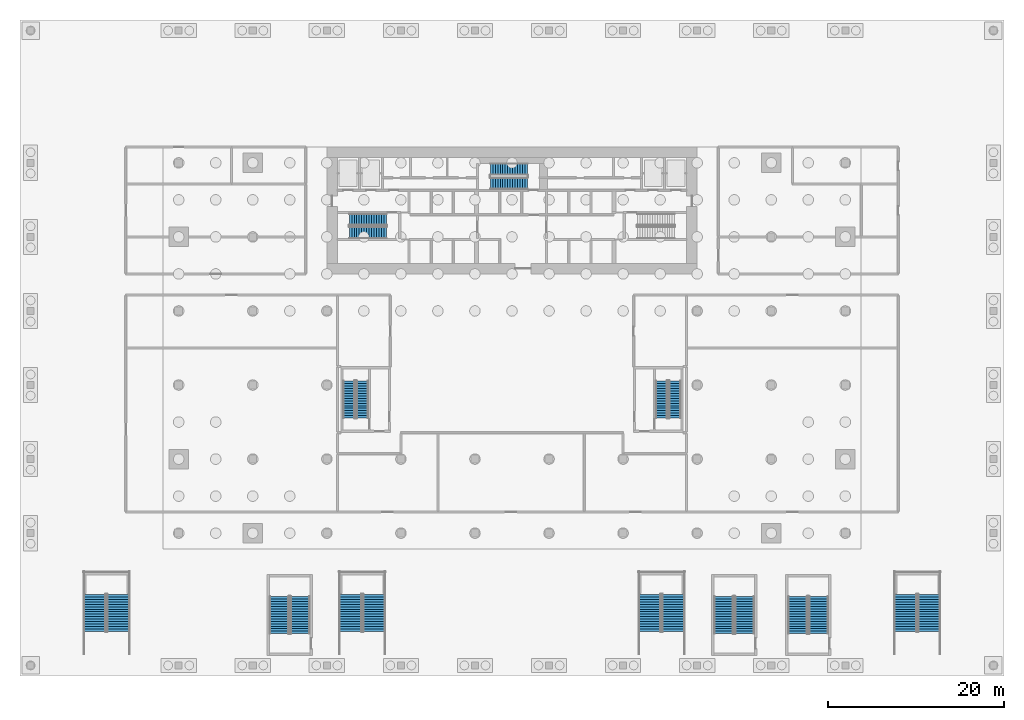
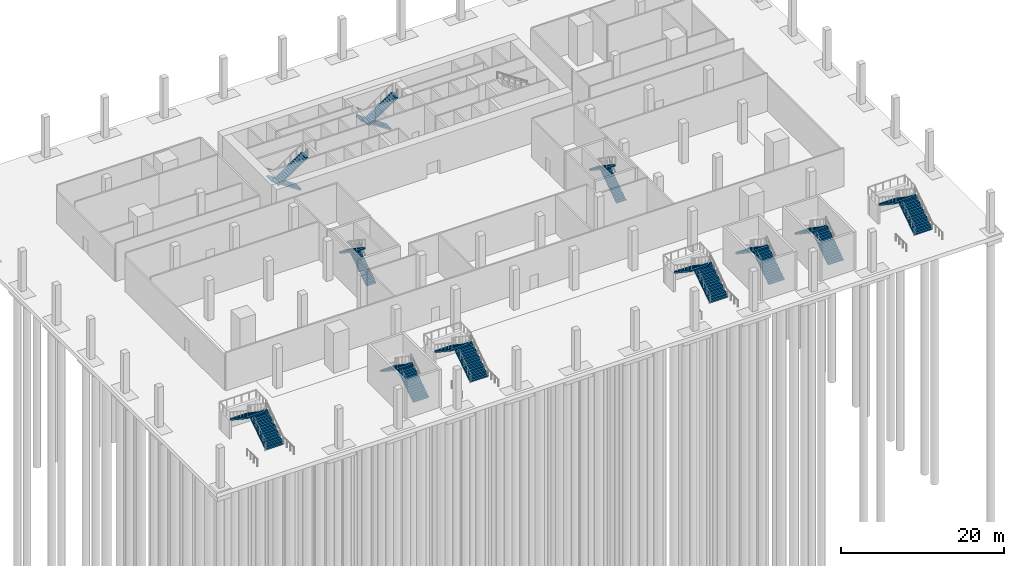
# One storey, part 11 of 16: 22 stair flights, 11 elements without a shape of their own.
"""IFC4 building model written with IfcOpenShell, lengths in metres."""

from ifc_helpers import new_model, si_unit, direction, frame, origin, place, context, subcontext, project, spatial, polyline, outline, extrude, material, type_object, element, aggregate, save


model = new_model("IFC4")

# Units and contexts
model_context = context("Model", 3, precision=1e-05, world=origin(), true_north=direction((0.0, 1.0)))
body_context = subcontext(model_context, "Body", "Model", "MODEL_VIEW")
ifc_project = project(units=[si_unit("LENGTHUNIT", "METRE"), si_unit("AREAUNIT", "SQUARE_METRE"), si_unit("VOLUMEUNIT", "CUBIC_METRE"), si_unit("PLANEANGLEUNIT", "RADIAN"), si_unit("MASSUNIT", "GRAM", prefix="KILO")], contexts=[model_context])

# Site, building, storey
site_placement = place(None, origin())
site = spatial("IfcSite", under=ifc_project, at=site_placement, CompositionType="ELEMENT")
building_placement = place(site_placement, origin())
building = spatial("IfcBuilding", under=site, at=building_placement, Name="Saffron Gate Tower", CompositionType="ELEMENT")
storey_placement = place(building_placement, frame((0.0, 0.0, -6.0)))
storey = spatial("IfcBuildingStorey", under=building, at=storey_placement, Name="B1", CompositionType="ELEMENT", Elevation=-6.0)

# Stair, stair flights
ifc_material = material(Name="Concrete C40", Category="concrete")
stair_type_1 = type_object("IfcStairType", Name="ST1 Stair 2550 wide, 32 risers of 188", PredefinedType="HALF_TURN_STAIR", material=ifc_material)
stair_1_placement = place(storey_placement, origin())
stair_1 = element("IfcStair", 1, at=stair_1_placement, inside=storey, type_object=stair_type_1, Name="B1 Station stair 1", PredefinedType="HALF_TURN_STAIR")
stair_flight_type_1 = type_object("IfcStairFlightType", Name="SF1 Stair flight 2550 wide, riser 188 going 280", PredefinedType="STRAIGHT", material=ifc_material)
stair_flight_1_placement = place(storey_placement, frame((42.97509765625, 20.64990234375, 0.0), z_axis=(0.0, 0.0, 1.0), x_axis=(0.0, 1.0, 0.0)))
stair_flight_1 = element("IfcStairFlight", 2, at=stair_flight_1_placement, type_object=stair_flight_type_1, Name="SS1 flight 1", NumberOfRisers=16, NumberOfTreads=15, PredefinedType="STRAIGHT", RiserHeight=0.1875, TreadLength=0.28, context=body_context, shape_type="SweptSolid", body=[
    extrude(outline(polyline([(0.0, 0.0), (0.0, 0.1875), (0.280029296875, 0.1875), (0.280029296875, 0.375), (0.56005859375, 0.375), (0.56005859375, 0.5625), (0.840087890625, 0.5625), (0.840087890625, 0.75), (1.1201171875, 0.75), (1.1201171875, 0.9375), (1.39990234375, 0.9375), (1.39990234375, 1.125), (1.679931640625, 1.125), (1.679931640625, 1.3125), (1.9599609375, 1.3125), (1.9599609375, 1.5), (2.239990234375, 1.5), (2.239990234375, 1.6875), (2.52001953125, 1.6875), (2.52001953125, 1.875), (2.800048828125, 1.875), (2.800048828125, 2.0625), (3.080078125, 2.0625), (3.080078125, 2.25), (3.360107421875, 2.25), (3.360107421875, 2.4375), (3.639892578125, 2.4375), (3.639892578125, 2.625), (3.919921875, 2.625), (3.919921875, 2.8125), (4.199951171875, 2.8125), (4.199951171875, 3.0), (4.199951171875, 2.632080078125), (0.26953125, 0.0), (0.0, 0.0)])), frame((0.0, 1.27490234375, 0.0), z_axis=(0.0, -1.0, 0.0), x_axis=(1.0, 0.0, 0.0)), (0.0, 0.0, 1.0), 2.550048828125),
])
stair_flight_2_placement = place(storey_placement, frame((40.27490234375, 24.85009765625, 3.0), z_axis=(0.0, 0.0, 1.0), x_axis=(0.0, -1.0, 0.0)))
stair_flight_2 = element("IfcStairFlight", 3, at=stair_flight_2_placement, type_object=stair_flight_type_1, Name="SS1 flight 2", NumberOfRisers=16, NumberOfTreads=15, PredefinedType="STRAIGHT", RiserHeight=0.1875, TreadLength=0.28, context=body_context, shape_type="SweptSolid", body=[
    extrude(outline(polyline([(0.0, 0.0), (0.0, 0.1875), (0.280029296875, 0.1875), (0.280029296875, 0.375), (0.56005859375, 0.375), (0.56005859375, 0.5625), (0.840087890625, 0.5625), (0.840087890625, 0.75), (1.1201171875, 0.75), (1.1201171875, 0.9375), (1.39990234375, 0.9375), (1.39990234375, 1.125), (1.679931640625, 1.125), (1.679931640625, 1.3125), (1.9599609375, 1.3125), (1.9599609375, 1.5), (2.239990234375, 1.5), (2.239990234375, 1.6875), (2.52001953125, 1.6875), (2.52001953125, 1.875), (2.800048828125, 1.875), (2.800048828125, 2.0625), (3.080078125, 2.0625), (3.080078125, 2.25), (3.360107421875, 2.25), (3.360107421875, 2.4375), (3.639892578125, 2.4375), (3.639892578125, 2.625), (3.919921875, 2.625), (3.919921875, 2.8125), (4.199951171875, 2.8125), (4.199951171875, 3.0), (4.199951171875, 2.632080078125), (0.26953125, 0.0), (0.0, 0.0)])), frame((0.0, 1.27490234375, 0.0), z_axis=(0.0, -1.0, 0.0), x_axis=(1.0, 0.0, 0.0)), (0.0, 0.0, 1.0), 2.550048828125),
])
aggregate(stair_1, [stair_flight_1, stair_flight_2])

stair_2_placement = place(storey_placement, origin())
stair_2 = element("IfcStair", 4, at=stair_2_placement, inside=storey, type_object=stair_type_1, Name="B1 Station stair 2", PredefinedType="HALF_TURN_STAIR")
stair_flight_3_placement = place(storey_placement, frame((71.97509765625, 20.64990234375, 0.0), z_axis=(0.0, 0.0, 1.0), x_axis=(0.0, 1.0, 0.0)))
stair_flight_3 = element("IfcStairFlight", 5, at=stair_flight_3_placement, type_object=stair_flight_type_1, Name="SS2 flight 1", NumberOfRisers=16, NumberOfTreads=15, PredefinedType="STRAIGHT", RiserHeight=0.1875, TreadLength=0.28, context=body_context, shape_type="SweptSolid", body=[
    extrude(outline(polyline([(0.0, 0.0), (0.0, 0.1875), (0.280029296875, 0.1875), (0.280029296875, 0.375), (0.56005859375, 0.375), (0.56005859375, 0.5625), (0.840087890625, 0.5625), (0.840087890625, 0.75), (1.1201171875, 0.75), (1.1201171875, 0.9375), (1.39990234375, 0.9375), (1.39990234375, 1.125), (1.679931640625, 1.125), (1.679931640625, 1.3125), (1.9599609375, 1.3125), (1.9599609375, 1.5), (2.239990234375, 1.5), (2.239990234375, 1.6875), (2.52001953125, 1.6875), (2.52001953125, 1.875), (2.800048828125, 1.875), (2.800048828125, 2.0625), (3.080078125, 2.0625), (3.080078125, 2.25), (3.360107421875, 2.25), (3.360107421875, 2.4375), (3.639892578125, 2.4375), (3.639892578125, 2.625), (3.919921875, 2.625), (3.919921875, 2.8125), (4.199951171875, 2.8125), (4.199951171875, 3.0), (4.199951171875, 2.632080078125), (0.26953125, 0.0), (0.0, 0.0)])), frame((0.0, 1.27490234375, 0.0), z_axis=(0.0, -1.0, 0.0), x_axis=(1.0, 0.0, 0.0)), (0.0, 0.0, 1.0), 2.550048828125),
])
stair_flight_4_placement = place(storey_placement, frame((69.27490234375, 24.85009765625, 3.0), z_axis=(0.0, 0.0, 1.0), x_axis=(0.0, -1.0, 0.0)))
stair_flight_4 = element("IfcStairFlight", 6, at=stair_flight_4_placement, type_object=stair_flight_type_1, Name="SS2 flight 2", NumberOfRisers=16, NumberOfTreads=15, PredefinedType="STRAIGHT", RiserHeight=0.1875, TreadLength=0.28, context=body_context, shape_type="SweptSolid", body=[
    extrude(outline(polyline([(0.0, 0.0), (0.0, 0.1875), (0.280029296875, 0.1875), (0.280029296875, 0.375), (0.56005859375, 0.375), (0.56005859375, 0.5625), (0.840087890625, 0.5625), (0.840087890625, 0.75), (1.1201171875, 0.75), (1.1201171875, 0.9375), (1.39990234375, 0.9375), (1.39990234375, 1.125), (1.679931640625, 1.125), (1.679931640625, 1.3125), (1.9599609375, 1.3125), (1.9599609375, 1.5), (2.239990234375, 1.5), (2.239990234375, 1.6875), (2.52001953125, 1.6875), (2.52001953125, 1.875), (2.800048828125, 1.875), (2.800048828125, 2.0625), (3.080078125, 2.0625), (3.080078125, 2.25), (3.360107421875, 2.25), (3.360107421875, 2.4375), (3.639892578125, 2.4375), (3.639892578125, 2.625), (3.919921875, 2.625), (3.919921875, 2.8125), (4.199951171875, 2.8125), (4.199951171875, 3.0), (4.199951171875, 2.632080078125), (0.26953125, 0.0), (0.0, 0.0)])), frame((0.0, 1.27490234375, 0.0), z_axis=(0.0, -1.0, 0.0), x_axis=(1.0, 0.0, 0.0)), (0.0, 0.0, 1.0), 2.550048828125),
])
aggregate(stair_2, [stair_flight_3, stair_flight_4])

stair_3_placement = place(storey_placement, origin())
stair_3 = element("IfcStair", 7, at=stair_3_placement, inside=storey, type_object=stair_type_1, Name="B1 Station stair 3", PredefinedType="HALF_TURN_STAIR")
stair_flight_5_placement = place(storey_placement, frame((105.925048828125, 20.64990234375, 0.0), z_axis=(0.0, 0.0, 1.0), x_axis=(0.0, 1.0, 0.0)))
stair_flight_5 = element("IfcStairFlight", 8, at=stair_flight_5_placement, type_object=stair_flight_type_1, Name="SS3 flight 1", NumberOfRisers=16, NumberOfTreads=15, PredefinedType="STRAIGHT", RiserHeight=0.1875, TreadLength=0.28, context=body_context, shape_type="SweptSolid", body=[
    extrude(outline(polyline([(0.0, 0.0), (0.0, 0.1875), (0.280029296875, 0.1875), (0.280029296875, 0.375), (0.56005859375, 0.375), (0.56005859375, 0.5625), (0.840087890625, 0.5625), (0.840087890625, 0.75), (1.1201171875, 0.75), (1.1201171875, 0.9375), (1.39990234375, 0.9375), (1.39990234375, 1.125), (1.679931640625, 1.125), (1.679931640625, 1.3125), (1.9599609375, 1.3125), (1.9599609375, 1.5), (2.239990234375, 1.5), (2.239990234375, 1.6875), (2.52001953125, 1.6875), (2.52001953125, 1.875), (2.800048828125, 1.875), (2.800048828125, 2.0625), (3.080078125, 2.0625), (3.080078125, 2.25), (3.360107421875, 2.25), (3.360107421875, 2.4375), (3.639892578125, 2.4375), (3.639892578125, 2.625), (3.919921875, 2.625), (3.919921875, 2.8125), (4.199951171875, 2.8125), (4.199951171875, 3.0), (4.199951171875, 2.632080078125), (0.26953125, 0.0), (0.0, 0.0)])), frame((0.0, 1.27490234375, 0.0), z_axis=(0.0, -1.0, 0.0), x_axis=(1.0, 0.0, 0.0)), (0.0, 0.0, 1.0), 2.550048828125),
])
stair_flight_6_placement = place(storey_placement, frame((103.22509765625, 24.85009765625, 3.0), z_axis=(0.0, 0.0, 1.0), x_axis=(0.0, -1.0, 0.0)))
stair_flight_6 = element("IfcStairFlight", 9, at=stair_flight_6_placement, type_object=stair_flight_type_1, Name="SS3 flight 2", NumberOfRisers=16, NumberOfTreads=15, PredefinedType="STRAIGHT", RiserHeight=0.1875, TreadLength=0.28, context=body_context, shape_type="SweptSolid", body=[
    extrude(outline(polyline([(0.0, 0.0), (0.0, 0.1875), (0.280029296875, 0.1875), (0.280029296875, 0.375), (0.56005859375, 0.375), (0.56005859375, 0.5625), (0.840087890625, 0.5625), (0.840087890625, 0.75), (1.1201171875, 0.75), (1.1201171875, 0.9375), (1.39990234375, 0.9375), (1.39990234375, 1.125), (1.679931640625, 1.125), (1.679931640625, 1.3125), (1.9599609375, 1.3125), (1.9599609375, 1.5), (2.239990234375, 1.5), (2.239990234375, 1.6875), (2.52001953125, 1.6875), (2.52001953125, 1.875), (2.800048828125, 1.875), (2.800048828125, 2.0625), (3.080078125, 2.0625), (3.080078125, 2.25), (3.360107421875, 2.25), (3.360107421875, 2.4375), (3.639892578125, 2.4375), (3.639892578125, 2.625), (3.919921875, 2.625), (3.919921875, 2.8125), (4.199951171875, 2.8125), (4.199951171875, 3.0), (4.199951171875, 2.632080078125), (0.26953125, 0.0), (0.0, 0.0)])), frame((0.0, 1.27490234375, 0.0), z_axis=(0.0, -1.0, 0.0), x_axis=(1.0, 0.0, 0.0)), (0.0, 0.0, 1.0), 2.550048828125),
])
aggregate(stair_3, [stair_flight_5, stair_flight_6])

stair_4_placement = place(storey_placement, origin())
stair_4 = element("IfcStair", 10, at=stair_4_placement, inside=storey, type_object=stair_type_1, Name="B1 Station stair 4", PredefinedType="HALF_TURN_STAIR")
stair_flight_7_placement = place(storey_placement, frame((134.925048828125, 20.64990234375, 0.0), z_axis=(0.0, 0.0, 1.0), x_axis=(0.0, 1.0, 0.0)))
stair_flight_7 = element("IfcStairFlight", 11, at=stair_flight_7_placement, type_object=stair_flight_type_1, Name="SS4 flight 1", NumberOfRisers=16, NumberOfTreads=15, PredefinedType="STRAIGHT", RiserHeight=0.1875, TreadLength=0.28, context=body_context, shape_type="SweptSolid", body=[
    extrude(outline(polyline([(0.0, 0.0), (0.0, 0.1875), (0.280029296875, 0.1875), (0.280029296875, 0.375), (0.56005859375, 0.375), (0.56005859375, 0.5625), (0.840087890625, 0.5625), (0.840087890625, 0.75), (1.1201171875, 0.75), (1.1201171875, 0.9375), (1.39990234375, 0.9375), (1.39990234375, 1.125), (1.679931640625, 1.125), (1.679931640625, 1.3125), (1.9599609375, 1.3125), (1.9599609375, 1.5), (2.239990234375, 1.5), (2.239990234375, 1.6875), (2.52001953125, 1.6875), (2.52001953125, 1.875), (2.800048828125, 1.875), (2.800048828125, 2.0625), (3.080078125, 2.0625), (3.080078125, 2.25), (3.360107421875, 2.25), (3.360107421875, 2.4375), (3.639892578125, 2.4375), (3.639892578125, 2.625), (3.919921875, 2.625), (3.919921875, 2.8125), (4.199951171875, 2.8125), (4.199951171875, 3.0), (4.199951171875, 2.632080078125), (0.26953125, 0.0), (0.0, 0.0)])), frame((0.0, 1.27490234375, 0.0), z_axis=(0.0, -1.0, 0.0), x_axis=(1.0, 0.0, 0.0)), (0.0, 0.0, 1.0), 2.550048828125),
])
stair_flight_8_placement = place(storey_placement, frame((132.22509765625, 24.85009765625, 3.0), z_axis=(0.0, 0.0, 1.0), x_axis=(0.0, -1.0, 0.0)))
stair_flight_8 = element("IfcStairFlight", 12, at=stair_flight_8_placement, type_object=stair_flight_type_1, Name="SS4 flight 2", NumberOfRisers=16, NumberOfTreads=15, PredefinedType="STRAIGHT", RiserHeight=0.1875, TreadLength=0.28, context=body_context, shape_type="SweptSolid", body=[
    extrude(outline(polyline([(0.0, 0.0), (0.0, 0.1875), (0.280029296875, 0.1875), (0.280029296875, 0.375), (0.56005859375, 0.375), (0.56005859375, 0.5625), (0.840087890625, 0.5625), (0.840087890625, 0.75), (1.1201171875, 0.75), (1.1201171875, 0.9375), (1.39990234375, 0.9375), (1.39990234375, 1.125), (1.679931640625, 1.125), (1.679931640625, 1.3125), (1.9599609375, 1.3125), (1.9599609375, 1.5), (2.239990234375, 1.5), (2.239990234375, 1.6875), (2.52001953125, 1.6875), (2.52001953125, 1.875), (2.800048828125, 1.875), (2.800048828125, 2.0625), (3.080078125, 2.0625), (3.080078125, 2.25), (3.360107421875, 2.25), (3.360107421875, 2.4375), (3.639892578125, 2.4375), (3.639892578125, 2.625), (3.919921875, 2.625), (3.919921875, 2.8125), (4.199951171875, 2.8125), (4.199951171875, 3.0), (4.199951171875, 2.632080078125), (0.26953125, 0.0), (0.0, 0.0)])), frame((0.0, 1.27490234375, 0.0), z_axis=(0.0, -1.0, 0.0), x_axis=(1.0, 0.0, 0.0)), (0.0, 0.0, 1.0), 2.550048828125),
])
aggregate(stair_4, [stair_flight_7, stair_flight_8])

stair_type_2 = type_object("IfcStairType", Name="ST2 Stair 1350 wide, 32 risers of 188", PredefinedType="HALF_TURN_STAIR", material=ifc_material)
stair_5_placement = place(storey_placement, origin())
stair_5 = element("IfcStair", 13, at=stair_5_placement, inside=storey, type_object=stair_type_2, Name="B1 Exit stair A", PredefinedType="HALF_TURN_STAIR")
stair_flight_type_2 = type_object("IfcStairFlightType", Name="SF2 Stair flight 1350 wide, riser 188 going 280", PredefinedType="STRAIGHT", material=ifc_material)
stair_flight_9_placement = place(storey_placement, frame((73.35009765625, 67.375, 0.0), z_axis=(0.0, 0.0, 1.0), x_axis=(-1.0, 0.0, 0.0)))
stair_flight_9 = element("IfcStairFlight", 14, at=stair_flight_9_placement, type_object=stair_flight_type_2, Name="ST-A flight 1", NumberOfRisers=16, NumberOfTreads=15, PredefinedType="STRAIGHT", RiserHeight=0.1875, TreadLength=0.28, context=body_context, shape_type="SweptSolid", body=[
    extrude(outline(polyline([(0.0, 0.0), (0.0, 0.1875), (0.280029296875, 0.1875), (0.280029296875, 0.375), (0.56005859375, 0.375), (0.56005859375, 0.5625), (0.840087890625, 0.5625), (0.840087890625, 0.75), (1.1201171875, 0.75), (1.1201171875, 0.9375), (1.39990234375, 0.9375), (1.39990234375, 1.125), (1.679931640625, 1.125), (1.679931640625, 1.3125), (1.9599609375, 1.3125), (1.9599609375, 1.5), (2.239990234375, 1.5), (2.239990234375, 1.6875), (2.52001953125, 1.6875), (2.52001953125, 1.875), (2.800048828125, 1.875), (2.800048828125, 2.0625), (3.080078125, 2.0625), (3.080078125, 2.25), (3.360107421875, 2.25), (3.360107421875, 2.4375), (3.639892578125, 2.4375), (3.639892578125, 2.625), (3.919921875, 2.625), (3.919921875, 2.8125), (4.199951171875, 2.8125), (4.199951171875, 3.0), (4.199951171875, 2.632080078125), (0.26953125, 0.0), (0.0, 0.0)])), frame((0.0, 0.675048828125, 0.0), z_axis=(0.0, -1.0, 0.0), x_axis=(1.0, 0.0, 0.0)), (0.0, 0.0, 1.0), 1.35009765625),
])
stair_flight_10_placement = place(storey_placement, frame((69.14990234375, 65.875, 3.0), z_axis=(0.0, 0.0, 1.0), x_axis=(1.0, 0.0, 0.0)))
stair_flight_10 = element("IfcStairFlight", 15, at=stair_flight_10_placement, type_object=stair_flight_type_2, Name="ST-A flight 2", NumberOfRisers=16, NumberOfTreads=15, PredefinedType="STRAIGHT", RiserHeight=0.1875, TreadLength=0.28, context=body_context, shape_type="SweptSolid", body=[
    extrude(outline(polyline([(0.0, 0.0), (0.0, 0.1875), (0.280029296875, 0.1875), (0.280029296875, 0.375), (0.56005859375, 0.375), (0.56005859375, 0.5625), (0.840087890625, 0.5625), (0.840087890625, 0.75), (1.1201171875, 0.75), (1.1201171875, 0.9375), (1.39990234375, 0.9375), (1.39990234375, 1.125), (1.679931640625, 1.125), (1.679931640625, 1.3125), (1.9599609375, 1.3125), (1.9599609375, 1.5), (2.239990234375, 1.5), (2.239990234375, 1.6875), (2.52001953125, 1.6875), (2.52001953125, 1.875), (2.800048828125, 1.875), (2.800048828125, 2.0625), (3.080078125, 2.0625), (3.080078125, 2.25), (3.360107421875, 2.25), (3.360107421875, 2.4375), (3.639892578125, 2.4375), (3.639892578125, 2.625), (3.919921875, 2.625), (3.919921875, 2.8125), (4.199951171875, 2.8125), (4.199951171875, 3.0), (4.199951171875, 2.632080078125), (0.26953125, 0.0), (0.0, 0.0)])), frame((0.0, 0.675048828125, 0.0), z_axis=(0.0, -1.0, 0.0), x_axis=(1.0, 0.0, 0.0)), (0.0, 0.0, 1.0), 1.35009765625),
])
aggregate(stair_5, [stair_flight_9, stair_flight_10])

stair_6_placement = place(storey_placement, origin())
stair_6 = element("IfcStair", 16, at=stair_6_placement, inside=storey, type_object=stair_type_2, Name="B1 Exit stair C", PredefinedType="HALF_TURN_STAIR")
stair_flight_11_placement = place(storey_placement, frame((89.35009765625, 73.074951171875, 0.0), z_axis=(0.0, 0.0, 1.0), x_axis=(-1.0, 0.0, 0.0)))
stair_flight_11 = element("IfcStairFlight", 17, at=stair_flight_11_placement, type_object=stair_flight_type_2, Name="ST-C flight 1", NumberOfRisers=16, NumberOfTreads=15, PredefinedType="STRAIGHT", RiserHeight=0.1875, TreadLength=0.28, context=body_context, shape_type="SweptSolid", body=[
    extrude(outline(polyline([(0.0, 0.0), (0.0, 0.1875), (0.280029296875, 0.1875), (0.280029296875, 0.375), (0.56005859375, 0.375), (0.56005859375, 0.5625), (0.840087890625, 0.5625), (0.840087890625, 0.75), (1.1201171875, 0.75), (1.1201171875, 0.9375), (1.39990234375, 0.9375), (1.39990234375, 1.125), (1.679931640625, 1.125), (1.679931640625, 1.3125), (1.9599609375, 1.3125), (1.9599609375, 1.5), (2.239990234375, 1.5), (2.239990234375, 1.6875), (2.52001953125, 1.6875), (2.52001953125, 1.875), (2.800048828125, 1.875), (2.800048828125, 2.0625), (3.080078125, 2.0625), (3.080078125, 2.25), (3.360107421875, 2.25), (3.360107421875, 2.4375), (3.639892578125, 2.4375), (3.639892578125, 2.625), (3.919921875, 2.625), (3.919921875, 2.8125), (4.199951171875, 2.8125), (4.199951171875, 3.0), (4.199951171875, 2.632080078125), (0.26953125, 0.0), (0.0, 0.0)])), frame((0.0, 0.675048828125, 0.0), z_axis=(0.0, -1.0, 0.0), x_axis=(1.0, 0.0, 0.0)), (0.0, 0.0, 1.0), 1.35009765625),
])
stair_flight_12_placement = place(storey_placement, frame((85.14990234375, 71.47509765625, 3.0), z_axis=(0.0, 0.0, 1.0), x_axis=(1.0, 0.0, 0.0)))
stair_flight_12 = element("IfcStairFlight", 18, at=stair_flight_12_placement, type_object=stair_flight_type_2, Name="ST-C flight 2", NumberOfRisers=16, NumberOfTreads=15, PredefinedType="STRAIGHT", RiserHeight=0.1875, TreadLength=0.28, context=body_context, shape_type="SweptSolid", body=[
    extrude(outline(polyline([(0.0, 0.0), (0.0, 0.1875), (0.280029296875, 0.1875), (0.280029296875, 0.375), (0.56005859375, 0.375), (0.56005859375, 0.5625), (0.840087890625, 0.5625), (0.840087890625, 0.75), (1.1201171875, 0.75), (1.1201171875, 0.9375), (1.39990234375, 0.9375), (1.39990234375, 1.125), (1.679931640625, 1.125), (1.679931640625, 1.3125), (1.9599609375, 1.3125), (1.9599609375, 1.5), (2.239990234375, 1.5), (2.239990234375, 1.6875), (2.52001953125, 1.6875), (2.52001953125, 1.875), (2.800048828125, 1.875), (2.800048828125, 2.0625), (3.080078125, 2.0625), (3.080078125, 2.25), (3.360107421875, 2.25), (3.360107421875, 2.4375), (3.639892578125, 2.4375), (3.639892578125, 2.625), (3.919921875, 2.625), (3.919921875, 2.8125), (4.199951171875, 2.8125), (4.199951171875, 3.0), (4.199951171875, 2.632080078125), (0.26953125, 0.0), (0.0, 0.0)])), frame((0.0, 0.675048828125, 0.0), z_axis=(0.0, -1.0, 0.0), x_axis=(1.0, 0.0, 0.0)), (0.0, 0.0, 1.0), 1.35009765625),
])
aggregate(stair_6, [stair_flight_11, stair_flight_12])

stair_7_placement = place(storey_placement, origin())
stair_7 = element("IfcStair", 19, at=stair_7_placement, inside=storey, type_object=stair_type_2, Name="B1 Exit stair D", PredefinedType="HALF_TURN_STAIR")
stair_flight_13_placement = place(storey_placement, frame((70.625, 44.85009765625, 0.0), z_axis=(0.0, 0.0, 1.0), x_axis=(0.0, 1.0, 0.0)))
stair_flight_13 = element("IfcStairFlight", 20, at=stair_flight_13_placement, type_object=stair_flight_type_2, Name="ST-D flight 1", NumberOfRisers=16, NumberOfTreads=15, PredefinedType="STRAIGHT", RiserHeight=0.1875, TreadLength=0.28, context=body_context, shape_type="SweptSolid", body=[
    extrude(outline(polyline([(0.0, 0.0), (0.0, 0.1875), (0.280029296875, 0.1875), (0.280029296875, 0.375), (0.56005859375, 0.375), (0.56005859375, 0.5625), (0.840087890625, 0.5625), (0.840087890625, 0.75), (1.1201171875, 0.75), (1.1201171875, 0.9375), (1.39990234375, 0.9375), (1.39990234375, 1.125), (1.679931640625, 1.125), (1.679931640625, 1.3125), (1.9599609375, 1.3125), (1.9599609375, 1.5), (2.239990234375, 1.5), (2.239990234375, 1.6875), (2.52001953125, 1.6875), (2.52001953125, 1.875), (2.800048828125, 1.875), (2.800048828125, 2.0625), (3.080078125, 2.0625), (3.080078125, 2.25), (3.360107421875, 2.25), (3.360107421875, 2.4375), (3.639892578125, 2.4375), (3.639892578125, 2.625), (3.919921875, 2.625), (3.919921875, 2.8125), (4.199951171875, 2.8125), (4.199951171875, 3.0), (4.199951171875, 2.632080078125), (0.26953125, 0.0), (0.0, 0.0)])), frame((0.0, 0.675048828125, 0.0), z_axis=(0.0, -1.0, 0.0), x_axis=(1.0, 0.0, 0.0)), (0.0, 0.0, 1.0), 1.35009765625),
])
stair_flight_14_placement = place(storey_placement, frame((69.125, 49.050048828125, 3.0), z_axis=(0.0, 0.0, 1.0), x_axis=(0.0, -1.0, 0.0)))
stair_flight_14 = element("IfcStairFlight", 21, at=stair_flight_14_placement, type_object=stair_flight_type_2, Name="ST-D flight 2", NumberOfRisers=16, NumberOfTreads=15, PredefinedType="STRAIGHT", RiserHeight=0.1875, TreadLength=0.28, context=body_context, shape_type="SweptSolid", body=[
    extrude(outline(polyline([(0.0, 0.0), (0.0, 0.1875), (0.280029296875, 0.1875), (0.280029296875, 0.375), (0.56005859375, 0.375), (0.56005859375, 0.5625), (0.840087890625, 0.5625), (0.840087890625, 0.75), (1.1201171875, 0.75), (1.1201171875, 0.9375), (1.39990234375, 0.9375), (1.39990234375, 1.125), (1.679931640625, 1.125), (1.679931640625, 1.3125), (1.9599609375, 1.3125), (1.9599609375, 1.5), (2.239990234375, 1.5), (2.239990234375, 1.6875), (2.52001953125, 1.6875), (2.52001953125, 1.875), (2.800048828125, 1.875), (2.800048828125, 2.0625), (3.080078125, 2.0625), (3.080078125, 2.25), (3.360107421875, 2.25), (3.360107421875, 2.4375), (3.639892578125, 2.4375), (3.639892578125, 2.625), (3.919921875, 2.625), (3.919921875, 2.8125), (4.199951171875, 2.8125), (4.199951171875, 3.0), (4.199951171875, 2.632080078125), (0.26953125, 0.0), (0.0, 0.0)])), frame((0.0, 0.675048828125, 0.0), z_axis=(0.0, -1.0, 0.0), x_axis=(1.0, 0.0, 0.0)), (0.0, 0.0, 1.0), 1.35009765625),
])
aggregate(stair_7, [stair_flight_13, stair_flight_14])

stair_8_placement = place(storey_placement, origin())
stair_8 = element("IfcStair", 22, at=stair_8_placement, inside=storey, type_object=stair_type_2, Name="B1 Exit stair E", PredefinedType="HALF_TURN_STAIR")
stair_flight_15_placement = place(storey_placement, frame((106.074951171875, 44.85009765625, 0.0), z_axis=(0.0, 0.0, 1.0), x_axis=(0.0, 1.0, 0.0)))
stair_flight_15 = element("IfcStairFlight", 23, at=stair_flight_15_placement, type_object=stair_flight_type_2, Name="ST-E flight 1", NumberOfRisers=16, NumberOfTreads=15, PredefinedType="STRAIGHT", RiserHeight=0.1875, TreadLength=0.28, context=body_context, shape_type="SweptSolid", body=[
    extrude(outline(polyline([(0.0, 0.0), (0.0, 0.1875), (0.280029296875, 0.1875), (0.280029296875, 0.375), (0.56005859375, 0.375), (0.56005859375, 0.5625), (0.840087890625, 0.5625), (0.840087890625, 0.75), (1.1201171875, 0.75), (1.1201171875, 0.9375), (1.39990234375, 0.9375), (1.39990234375, 1.125), (1.679931640625, 1.125), (1.679931640625, 1.3125), (1.9599609375, 1.3125), (1.9599609375, 1.5), (2.239990234375, 1.5), (2.239990234375, 1.6875), (2.52001953125, 1.6875), (2.52001953125, 1.875), (2.800048828125, 1.875), (2.800048828125, 2.0625), (3.080078125, 2.0625), (3.080078125, 2.25), (3.360107421875, 2.25), (3.360107421875, 2.4375), (3.639892578125, 2.4375), (3.639892578125, 2.625), (3.919921875, 2.625), (3.919921875, 2.8125), (4.199951171875, 2.8125), (4.199951171875, 3.0), (4.199951171875, 2.632080078125), (0.26953125, 0.0), (0.0, 0.0)])), frame((0.0, 0.675048828125, 0.0), z_axis=(0.0, -1.0, 0.0), x_axis=(1.0, 0.0, 0.0)), (0.0, 0.0, 1.0), 1.35009765625),
])
stair_flight_16_placement = place(storey_placement, frame((104.574951171875, 49.050048828125, 3.0), z_axis=(0.0, 0.0, 1.0), x_axis=(0.0, -1.0, 0.0)))
stair_flight_16 = element("IfcStairFlight", 24, at=stair_flight_16_placement, type_object=stair_flight_type_2, Name="ST-E flight 2", NumberOfRisers=16, NumberOfTreads=15, PredefinedType="STRAIGHT", RiserHeight=0.1875, TreadLength=0.28, context=body_context, shape_type="SweptSolid", body=[
    extrude(outline(polyline([(0.0, 0.0), (0.0, 0.1875), (0.280029296875, 0.1875), (0.280029296875, 0.375), (0.56005859375, 0.375), (0.56005859375, 0.5625), (0.840087890625, 0.5625), (0.840087890625, 0.75), (1.1201171875, 0.75), (1.1201171875, 0.9375), (1.39990234375, 0.9375), (1.39990234375, 1.125), (1.679931640625, 1.125), (1.679931640625, 1.3125), (1.9599609375, 1.3125), (1.9599609375, 1.5), (2.239990234375, 1.5), (2.239990234375, 1.6875), (2.52001953125, 1.6875), (2.52001953125, 1.875), (2.800048828125, 1.875), (2.800048828125, 2.0625), (3.080078125, 2.0625), (3.080078125, 2.25), (3.360107421875, 2.25), (3.360107421875, 2.4375), (3.639892578125, 2.4375), (3.639892578125, 2.625), (3.919921875, 2.625), (3.919921875, 2.8125), (4.199951171875, 2.8125), (4.199951171875, 3.0), (4.199951171875, 2.632080078125), (0.26953125, 0.0), (0.0, 0.0)])), frame((0.0, 0.675048828125, 0.0), z_axis=(0.0, -1.0, 0.0), x_axis=(1.0, 0.0, 0.0)), (0.0, 0.0, 1.0), 1.35009765625),
])
aggregate(stair_8, [stair_flight_15, stair_flight_16])

stair_type_3 = type_object("IfcStairType", Name="ST12 Stair 2200 wide, 32 risers of 188", PredefinedType="HALF_TURN_STAIR", material=ifc_material)
stair_9_placement = place(storey_placement, origin())
stair_9 = element("IfcStair", 25, at=stair_9_placement, inside=storey, type_object=stair_type_3, Name="B1 Exit stair L", PredefinedType="HALF_TURN_STAIR")
stair_flight_type_3 = type_object("IfcStairFlightType", Name="SF8 Stair flight 2200 wide, riser 188 going 280", PredefinedType="STRAIGHT", material=ifc_material)
stair_flight_17_placement = place(storey_placement, frame((63.574951171875, 20.39990234375, 0.0), z_axis=(0.0, 0.0, 1.0), x_axis=(0.0, 1.0, 0.0)))
stair_flight_17 = element("IfcStairFlight", 26, at=stair_flight_17_placement, type_object=stair_flight_type_3, Name="ST-L flight 1", NumberOfRisers=16, NumberOfTreads=15, PredefinedType="STRAIGHT", RiserHeight=0.1875, TreadLength=0.28, context=body_context, shape_type="SweptSolid", body=[
    extrude(outline(polyline([(0.0, 0.0), (0.0, 0.1875), (0.280029296875, 0.1875), (0.280029296875, 0.375), (0.56005859375, 0.375), (0.56005859375, 0.5625), (0.840087890625, 0.5625), (0.840087890625, 0.75), (1.1201171875, 0.75), (1.1201171875, 0.9375), (1.39990234375, 0.9375), (1.39990234375, 1.125), (1.679931640625, 1.125), (1.679931640625, 1.3125), (1.9599609375, 1.3125), (1.9599609375, 1.5), (2.239990234375, 1.5), (2.239990234375, 1.6875), (2.52001953125, 1.6875), (2.52001953125, 1.875), (2.800048828125, 1.875), (2.800048828125, 2.0625), (3.080078125, 2.0625), (3.080078125, 2.25), (3.360107421875, 2.25), (3.360107421875, 2.4375), (3.639892578125, 2.4375), (3.639892578125, 2.625), (3.919921875, 2.625), (3.919921875, 2.8125), (4.199951171875, 2.8125), (4.199951171875, 3.0), (4.199951171875, 2.632080078125), (0.26953125, 0.0), (0.0, 0.0)])), frame((0.0, 1.10009765625, 0.0), z_axis=(0.0, -1.0, 0.0), x_axis=(1.0, 0.0, 0.0)), (0.0, 0.0, 1.0), 2.199951171875),
])
stair_flight_18_placement = place(storey_placement, frame((61.22509765625, 24.60009765625, 3.0), z_axis=(0.0, 0.0, 1.0), x_axis=(0.0, -1.0, 0.0)))
stair_flight_18 = element("IfcStairFlight", 27, at=stair_flight_18_placement, type_object=stair_flight_type_3, Name="ST-L flight 2", NumberOfRisers=16, NumberOfTreads=15, PredefinedType="STRAIGHT", RiserHeight=0.1875, TreadLength=0.28, context=body_context, shape_type="SweptSolid", body=[
    extrude(outline(polyline([(0.0, 0.0), (0.0, 0.1875), (0.280029296875, 0.1875), (0.280029296875, 0.375), (0.56005859375, 0.375), (0.56005859375, 0.5625), (0.840087890625, 0.5625), (0.840087890625, 0.75), (1.1201171875, 0.75), (1.1201171875, 0.9375), (1.39990234375, 0.9375), (1.39990234375, 1.125), (1.679931640625, 1.125), (1.679931640625, 1.3125), (1.9599609375, 1.3125), (1.9599609375, 1.5), (2.239990234375, 1.5), (2.239990234375, 1.6875), (2.52001953125, 1.6875), (2.52001953125, 1.875), (2.800048828125, 1.875), (2.800048828125, 2.0625), (3.080078125, 2.0625), (3.080078125, 2.25), (3.360107421875, 2.25), (3.360107421875, 2.4375), (3.639892578125, 2.4375), (3.639892578125, 2.625), (3.919921875, 2.625), (3.919921875, 2.8125), (4.199951171875, 2.8125), (4.199951171875, 3.0), (4.199951171875, 2.632080078125), (0.26953125, 0.0), (0.0, 0.0)])), frame((0.0, 1.10009765625, 0.0), z_axis=(0.0, -1.0, 0.0), x_axis=(1.0, 0.0, 0.0)), (0.0, 0.0, 1.0), 2.199951171875),
])
aggregate(stair_9, [stair_flight_17, stair_flight_18])

stair_10_placement = place(storey_placement, origin())
stair_10 = element("IfcStair", 28, at=stair_10_placement, inside=storey, type_object=stair_type_3, Name="B1 Exit stair M", PredefinedType="HALF_TURN_STAIR")
stair_flight_19_placement = place(storey_placement, frame((122.375, 20.39990234375, 0.0), z_axis=(0.0, 0.0, 1.0), x_axis=(0.0, 1.0, 0.0)))
stair_flight_19 = element("IfcStairFlight", 29, at=stair_flight_19_placement, type_object=stair_flight_type_3, Name="ST-M flight 1", NumberOfRisers=16, NumberOfTreads=15, PredefinedType="STRAIGHT", RiserHeight=0.1875, TreadLength=0.28, context=body_context, shape_type="SweptSolid", body=[
    extrude(outline(polyline([(0.0, 0.0), (0.0, 0.1875), (0.280029296875, 0.1875), (0.280029296875, 0.375), (0.56005859375, 0.375), (0.56005859375, 0.5625), (0.840087890625, 0.5625), (0.840087890625, 0.75), (1.1201171875, 0.75), (1.1201171875, 0.9375), (1.39990234375, 0.9375), (1.39990234375, 1.125), (1.679931640625, 1.125), (1.679931640625, 1.3125), (1.9599609375, 1.3125), (1.9599609375, 1.5), (2.239990234375, 1.5), (2.239990234375, 1.6875), (2.52001953125, 1.6875), (2.52001953125, 1.875), (2.800048828125, 1.875), (2.800048828125, 2.0625), (3.080078125, 2.0625), (3.080078125, 2.25), (3.360107421875, 2.25), (3.360107421875, 2.4375), (3.639892578125, 2.4375), (3.639892578125, 2.625), (3.919921875, 2.625), (3.919921875, 2.8125), (4.199951171875, 2.8125), (4.199951171875, 3.0), (4.199951171875, 2.632080078125), (0.26953125, 0.0), (0.0, 0.0)])), frame((0.0, 1.10009765625, 0.0), z_axis=(0.0, -1.0, 0.0), x_axis=(1.0, 0.0, 0.0)), (0.0, 0.0, 1.0), 2.199951171875),
])
stair_flight_20_placement = place(storey_placement, frame((120.02490234375, 24.60009765625, 3.0), z_axis=(0.0, 0.0, 1.0), x_axis=(0.0, -1.0, 0.0)))
stair_flight_20 = element("IfcStairFlight", 30, at=stair_flight_20_placement, type_object=stair_flight_type_3, Name="ST-M flight 2", NumberOfRisers=16, NumberOfTreads=15, PredefinedType="STRAIGHT", RiserHeight=0.1875, TreadLength=0.28, context=body_context, shape_type="SweptSolid", body=[
    extrude(outline(polyline([(0.0, 0.0), (0.0, 0.1875), (0.280029296875, 0.1875), (0.280029296875, 0.375), (0.56005859375, 0.375), (0.56005859375, 0.5625), (0.840087890625, 0.5625), (0.840087890625, 0.75), (1.1201171875, 0.75), (1.1201171875, 0.9375), (1.39990234375, 0.9375), (1.39990234375, 1.125), (1.679931640625, 1.125), (1.679931640625, 1.3125), (1.9599609375, 1.3125), (1.9599609375, 1.5), (2.239990234375, 1.5), (2.239990234375, 1.6875), (2.52001953125, 1.6875), (2.52001953125, 1.875), (2.800048828125, 1.875), (2.800048828125, 2.0625), (3.080078125, 2.0625), (3.080078125, 2.25), (3.360107421875, 2.25), (3.360107421875, 2.4375), (3.639892578125, 2.4375), (3.639892578125, 2.625), (3.919921875, 2.625), (3.919921875, 2.8125), (4.199951171875, 2.8125), (4.199951171875, 3.0), (4.199951171875, 2.632080078125), (0.26953125, 0.0), (0.0, 0.0)])), frame((0.0, 1.10009765625, 0.0), z_axis=(0.0, -1.0, 0.0), x_axis=(1.0, 0.0, 0.0)), (0.0, 0.0, 1.0), 2.199951171875),
])
aggregate(stair_10, [stair_flight_19, stair_flight_20])

stair_11_placement = place(storey_placement, origin())
stair_11 = element("IfcStair", 31, at=stair_11_placement, inside=storey, type_object=stair_type_3, Name="B1 Exit stair N", PredefinedType="HALF_TURN_STAIR")
stair_flight_21_placement = place(storey_placement, frame((113.97509765625, 20.39990234375, 0.0), z_axis=(0.0, 0.0, 1.0), x_axis=(0.0, 1.0, 0.0)))
stair_flight_21 = element("IfcStairFlight", 32, at=stair_flight_21_placement, type_object=stair_flight_type_3, Name="ST-N flight 1", NumberOfRisers=16, NumberOfTreads=15, PredefinedType="STRAIGHT", RiserHeight=0.1875, TreadLength=0.28, context=body_context, shape_type="SweptSolid", body=[
    extrude(outline(polyline([(0.0, 0.0), (0.0, 0.1875), (0.280029296875, 0.1875), (0.280029296875, 0.375), (0.56005859375, 0.375), (0.56005859375, 0.5625), (0.840087890625, 0.5625), (0.840087890625, 0.75), (1.1201171875, 0.75), (1.1201171875, 0.9375), (1.39990234375, 0.9375), (1.39990234375, 1.125), (1.679931640625, 1.125), (1.679931640625, 1.3125), (1.9599609375, 1.3125), (1.9599609375, 1.5), (2.239990234375, 1.5), (2.239990234375, 1.6875), (2.52001953125, 1.6875), (2.52001953125, 1.875), (2.800048828125, 1.875), (2.800048828125, 2.0625), (3.080078125, 2.0625), (3.080078125, 2.25), (3.360107421875, 2.25), (3.360107421875, 2.4375), (3.639892578125, 2.4375), (3.639892578125, 2.625), (3.919921875, 2.625), (3.919921875, 2.8125), (4.199951171875, 2.8125), (4.199951171875, 3.0), (4.199951171875, 2.632080078125), (0.26953125, 0.0), (0.0, 0.0)])), frame((0.0, 1.10009765625, 0.0), z_axis=(0.0, -1.0, 0.0), x_axis=(1.0, 0.0, 0.0)), (0.0, 0.0, 1.0), 2.199951171875),
])
stair_flight_22_placement = place(storey_placement, frame((111.625, 24.60009765625, 3.0), z_axis=(0.0, 0.0, 1.0), x_axis=(0.0, -1.0, 0.0)))
stair_flight_22 = element("IfcStairFlight", 33, at=stair_flight_22_placement, type_object=stair_flight_type_3, Name="ST-N flight 2", NumberOfRisers=16, NumberOfTreads=15, PredefinedType="STRAIGHT", RiserHeight=0.1875, TreadLength=0.28, context=body_context, shape_type="SweptSolid", body=[
    extrude(outline(polyline([(0.0, 0.0), (0.0, 0.1875), (0.280029296875, 0.1875), (0.280029296875, 0.375), (0.56005859375, 0.375), (0.56005859375, 0.5625), (0.840087890625, 0.5625), (0.840087890625, 0.75), (1.1201171875, 0.75), (1.1201171875, 0.9375), (1.39990234375, 0.9375), (1.39990234375, 1.125), (1.679931640625, 1.125), (1.679931640625, 1.3125), (1.9599609375, 1.3125), (1.9599609375, 1.5), (2.239990234375, 1.5), (2.239990234375, 1.6875), (2.52001953125, 1.6875), (2.52001953125, 1.875), (2.800048828125, 1.875), (2.800048828125, 2.0625), (3.080078125, 2.0625), (3.080078125, 2.25), (3.360107421875, 2.25), (3.360107421875, 2.4375), (3.639892578125, 2.4375), (3.639892578125, 2.625), (3.919921875, 2.625), (3.919921875, 2.8125), (4.199951171875, 2.8125), (4.199951171875, 3.0), (4.199951171875, 2.632080078125), (0.26953125, 0.0), (0.0, 0.0)])), frame((0.0, 1.10009765625, 0.0), z_axis=(0.0, -1.0, 0.0), x_axis=(1.0, 0.0, 0.0)), (0.0, 0.0, 1.0), 2.199951171875),
])
aggregate(stair_11, [stair_flight_21, stair_flight_22])

save(model, "model.ifc")
